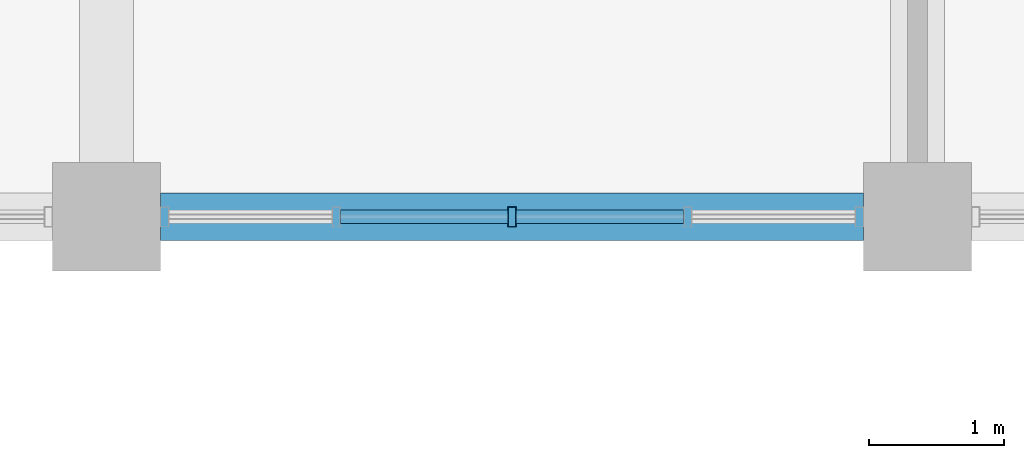
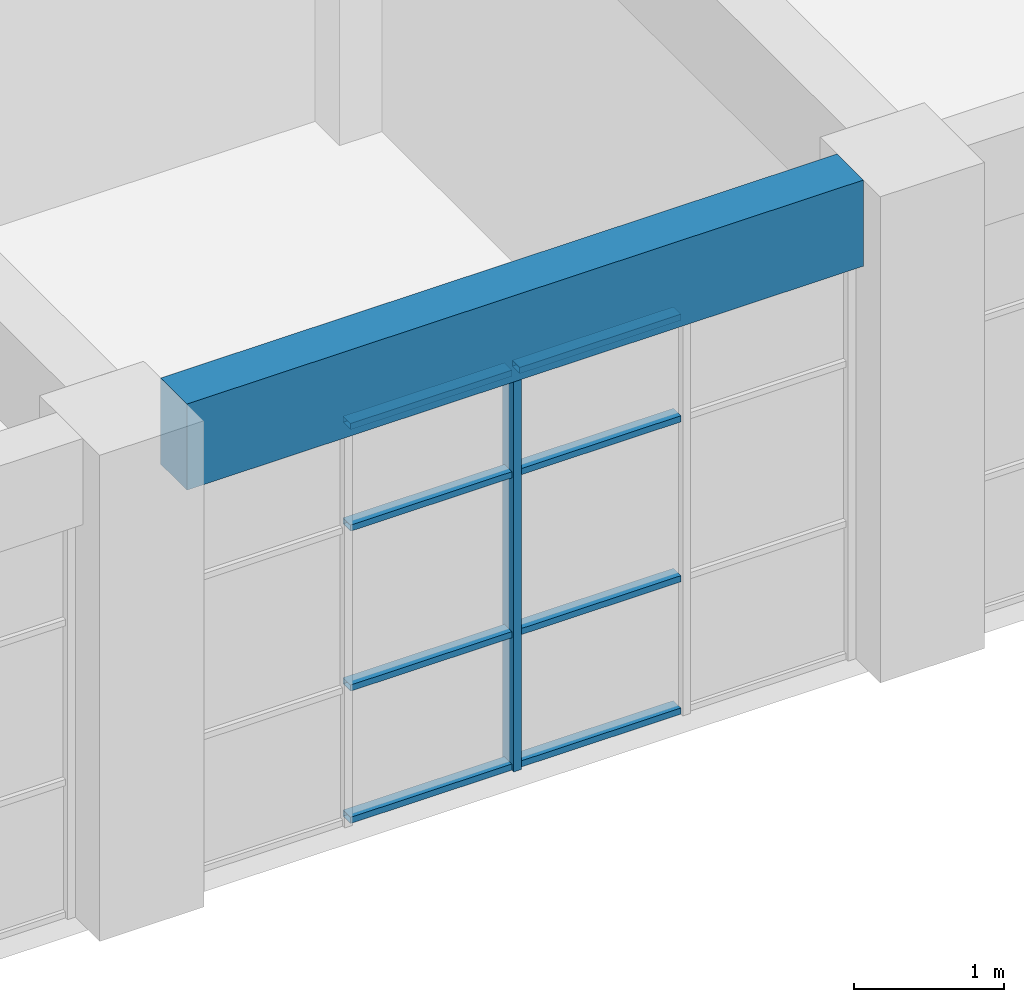
# One storey, part 5 of 51: 9 members, 1 beam, 1 element without a shape of its own.
"""IFC4 building model written with IfcOpenShell, lengths in metres."""

from ifc_helpers import new_model, si_unit, direction, frame, origin, origin_2d, place, context, subcontext, project, spatial, rectangle, hollow_rectangle, extrude, material, material_profile, profile_set, type_object, element, aggregate, save


model = new_model("IFC4")

# Units and contexts
model_context = context("Model", 3, precision=1e-05, world=origin(), true_north=direction((0.0, 1.0)))
body_context = subcontext(model_context, "Body", "Model", "MODEL_VIEW")
ifc_project = project(units=[si_unit("LENGTHUNIT", "METRE"), si_unit("AREAUNIT", "SQUARE_METRE"), si_unit("VOLUMEUNIT", "CUBIC_METRE"), si_unit("PLANEANGLEUNIT", "RADIAN"), si_unit("MASSUNIT", "GRAM", prefix="KILO")], contexts=[model_context])

# Site, building, storey
site_placement = place(None, origin())
site = spatial("IfcSite", under=ifc_project, at=site_placement, CompositionType="ELEMENT")
building_placement = place(site_placement, origin())
building = spatial("IfcBuilding", under=site, at=building_placement, Name="Laocheng Heights Fire and Rescue Headquarters", CompositionType="ELEMENT")
storey_placement = place(building_placement, frame((0.0, 0.0, 21.0)))
storey = spatial("IfcBuildingStorey", under=building, at=storey_placement, Name="L05", CompositionType="ELEMENT", Elevation=21.0)

# Curtain wall, members
ifc_material_1 = material(Name="Dark anodised aluminium unitised curtain wall, low-e double glazing", Category="aluminium")
curtain_wall_type = type_object("IfcCurtainWallType", Name="CW 5200 x 3250 HQ SOUTH RIBBON", PredefinedType="NOTDEFINED", material=ifc_material_1)
curtain_wall_placement = place(storey_placement, origin())
curtain_wall = element("IfcCurtainWall", 1, at=curtain_wall_placement, inside=storey, type_object=curtain_wall_type, Name="X16-X HQ SOUTH L05", PredefinedType="NOTDEFINED")
ifc_material_2 = material(Name="Dark anodised aluminium 6063-T5 extrusion", Category="aluminium")
ifc_material_profile_1 = material_profile(ifc_material_2, hollow_rectangle(XDim=0.14990234375, YDim=0.06005859375, WallThickness=0.0029296875, at=origin_2d()), Name="AL MULLION 150x60x3 HQ SOUTH RIBBON")
ifc_profile_set_1 = profile_set([ifc_material_profile_1], Name="Dark anodised aluminium 6063-T5 extrusion")
member_type_1 = type_object("IfcMemberType", Name="AL MULLION 150x60x3 HQ SOUTH RIBBON", PredefinedType="MULLION", material=ifc_profile_set_1)
member_1_placement = place(storey_placement, frame((63.0, 50.39990234375, 0.0), z_axis=(0.0, 0.0, 1.0), x_axis=(0.0, 1.0, 0.0)))
member_1 = element("IfcMember", 2, at=member_1_placement, type_object=member_type_1, Name="X16-X mullion 3", PredefinedType="MULLION", context=body_context, shape_type="SweptSolid", body=[
    extrude(hollow_rectangle(XDim=0.14990234375, YDim=0.06005859375, WallThickness=0.0029296875, at=origin_2d()), origin(), (0.0, 0.0, 1.0), 3.25),
])
ifc_material_3 = material(Name="Dark anodised aluminium 6063-T5 extrusion", Category="aluminium")
ifc_material_profile_2 = material_profile(ifc_material_3, hollow_rectangle(XDim=0.10009765625, YDim=0.050048828125, WallThickness=0.0029296875, at=origin_2d()), Name="AL TRANSOM 100x50x3 HQ SOUTH RIBBON")
ifc_profile_set_2 = profile_set([ifc_material_profile_2], Name="Dark anodised aluminium 6063-T5 extrusion")
member_type_2 = type_object("IfcMemberType", Name="AL TRANSOM 100x50x3 HQ SOUTH RIBBON", PredefinedType="USERDEFINED", material=ifc_profile_set_2)
member_2_placement = place(storey_placement, frame((61.72998046875, 50.39990234375, 0.02490234375), z_axis=(1.0, 0.0, 0.0), x_axis=(0.0, 1.0, 0.0)))
member_2 = element("IfcMember", 3, at=member_2_placement, type_object=member_type_2, Name="X16-X transom 2.1", ObjectType="TRANSOM", PredefinedType="USERDEFINED", context=body_context, shape_type="SweptSolid", body=[
    extrude(hollow_rectangle(XDim=0.10009765625, YDim=0.050048828125, WallThickness=0.0029296875, at=origin_2d()), origin(), (0.0, 0.0, 1.0), 1.239990234375),
])
member_3_placement = place(storey_placement, frame((61.72998046875, 50.39990234375, 1.10009765625), z_axis=(1.0, 0.0, 0.0), x_axis=(0.0, 1.0, 0.0)))
member_3 = element("IfcMember", 4, at=member_3_placement, type_object=member_type_2, Name="X16-X transom 2.2", ObjectType="TRANSOM", PredefinedType="USERDEFINED", context=body_context, shape_type="SweptSolid", body=[
    extrude(hollow_rectangle(XDim=0.10009765625, YDim=0.050048828125, WallThickness=0.0029296875, at=origin_2d()), origin(), (0.0, 0.0, 1.0), 1.239990234375),
])
member_4_placement = place(storey_placement, frame((61.72998046875, 50.39990234375, 2.39990234375), z_axis=(1.0, 0.0, 0.0), x_axis=(0.0, 1.0, 0.0)))
member_4 = element("IfcMember", 5, at=member_4_placement, type_object=member_type_2, Name="X16-X transom 2.3", ObjectType="TRANSOM", PredefinedType="USERDEFINED", context=body_context, shape_type="SweptSolid", body=[
    extrude(hollow_rectangle(XDim=0.10009765625, YDim=0.050048828125, WallThickness=0.0029296875, at=origin_2d()), origin(), (0.0, 0.0, 1.0), 1.239990234375),
])
member_5_placement = place(storey_placement, frame((61.72998046875, 50.39990234375, 3.22509765625), z_axis=(1.0, 0.0, 0.0), x_axis=(0.0, 1.0, 0.0)))
member_5 = element("IfcMember", 6, at=member_5_placement, type_object=member_type_2, Name="X16-X transom 2.4", ObjectType="TRANSOM", PredefinedType="USERDEFINED", context=body_context, shape_type="SweptSolid", body=[
    extrude(hollow_rectangle(XDim=0.10009765625, YDim=0.050048828125, WallThickness=0.0029296875, at=origin_2d()), origin(), (0.0, 0.0, 1.0), 1.239990234375),
])
member_6_placement = place(storey_placement, frame((63.030029296875, 50.39990234375, 0.02490234375), z_axis=(1.0, 0.0, 0.0), x_axis=(0.0, 1.0, 0.0)))
member_6 = element("IfcMember", 7, at=member_6_placement, type_object=member_type_2, Name="X16-X transom 3.1", ObjectType="TRANSOM", PredefinedType="USERDEFINED", context=body_context, shape_type="SweptSolid", body=[
    extrude(hollow_rectangle(XDim=0.10009765625, YDim=0.050048828125, WallThickness=0.0029296875, at=origin_2d()), origin(), (0.0, 0.0, 1.0), 1.239990234375),
])
member_7_placement = place(storey_placement, frame((63.030029296875, 50.39990234375, 1.10009765625), z_axis=(1.0, 0.0, 0.0), x_axis=(0.0, 1.0, 0.0)))
member_7 = element("IfcMember", 8, at=member_7_placement, type_object=member_type_2, Name="X16-X transom 3.2", ObjectType="TRANSOM", PredefinedType="USERDEFINED", context=body_context, shape_type="SweptSolid", body=[
    extrude(hollow_rectangle(XDim=0.10009765625, YDim=0.050048828125, WallThickness=0.0029296875, at=origin_2d()), origin(), (0.0, 0.0, 1.0), 1.239990234375),
])
member_8_placement = place(storey_placement, frame((63.030029296875, 50.39990234375, 2.39990234375), z_axis=(1.0, 0.0, 0.0), x_axis=(0.0, 1.0, 0.0)))
member_8 = element("IfcMember", 9, at=member_8_placement, type_object=member_type_2, Name="X16-X transom 3.3", ObjectType="TRANSOM", PredefinedType="USERDEFINED", context=body_context, shape_type="SweptSolid", body=[
    extrude(hollow_rectangle(XDim=0.10009765625, YDim=0.050048828125, WallThickness=0.0029296875, at=origin_2d()), origin(), (0.0, 0.0, 1.0), 1.239990234375),
])
member_9_placement = place(storey_placement, frame((63.030029296875, 50.39990234375, 3.22509765625), z_axis=(1.0, 0.0, 0.0), x_axis=(0.0, 1.0, 0.0)))
member_9 = element("IfcMember", 10, at=member_9_placement, type_object=member_type_2, Name="X16-X transom 3.4", ObjectType="TRANSOM", PredefinedType="USERDEFINED", context=body_context, shape_type="SweptSolid", body=[
    extrude(hollow_rectangle(XDim=0.10009765625, YDim=0.050048828125, WallThickness=0.0029296875, at=origin_2d()), origin(), (0.0, 0.0, 1.0), 1.239990234375),
])
aggregate(curtain_wall, [member_1, member_2, member_3, member_4, member_5, member_6, member_7, member_8, member_9])

# Beam
ifc_material_4 = material(Name="Concrete C40", Category="concrete")
ifc_material_profile_3 = material_profile(ifc_material_4, rectangle(XDim=0.35009765625, YDim=0.699951171875, at=origin_2d()), Name="RC BEAM 350x700 HQ ROOF")
ifc_profile_set_3 = profile_set([ifc_material_profile_3], Name="Concrete C40")
beam_type = type_object("IfcBeamType", Name="RC BEAM 350x700 HQ ROOF", PredefinedType="BEAM", material=ifc_profile_set_3)
beam_placement = place(storey_placement, frame((60.39990234375, 50.39990234375, 3.60009765625), z_axis=(1.0, 0.0, 0.0), x_axis=(0.0, 1.0, 0.0)))
element("IfcBeam", 11, at=beam_placement, inside=storey, type_object=beam_type, Name="HQ beam L05", PredefinedType="BEAM", context=body_context, shape_type="SweptSolid", body=[
    extrude(rectangle(XDim=0.35009765625, YDim=0.699951171875, at=origin_2d()), origin(), (0.0, 0.0, 1.0), 5.2001953125),
])

save(model, "model.ifc")
